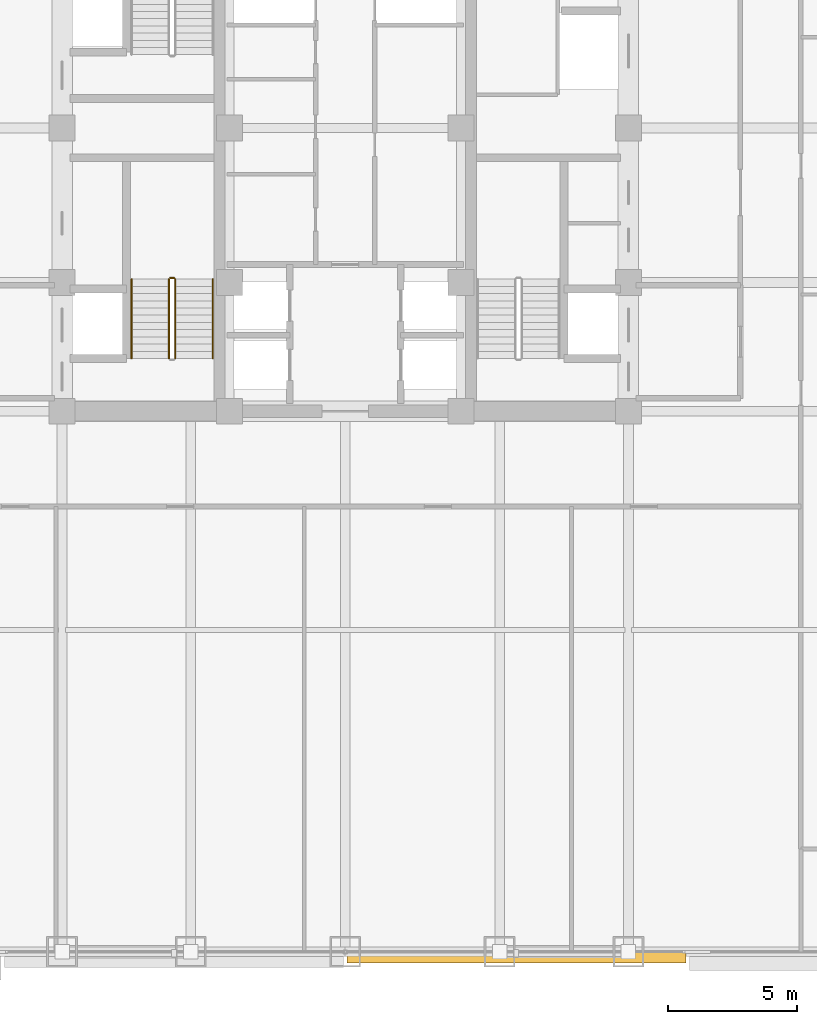
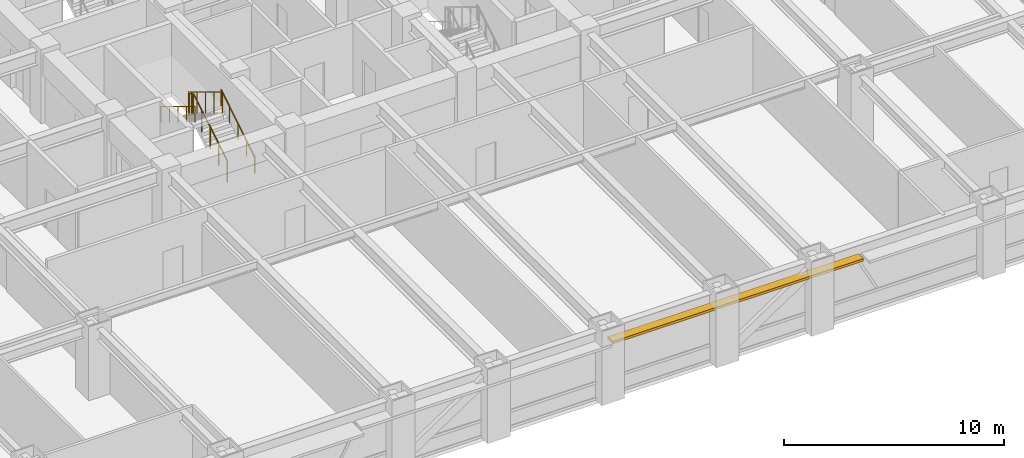
# One storey, part 29 of 32: 5 railings, 1 shading device.
"""IFC4 building model written with IfcOpenShell, lengths in metres."""

from ifc_helpers import new_model, si_unit, direction, frame, origin, origin_2d, place, context, subcontext, project, spatial, rectangle, circle, extrude, source, transform, mapped, material, layer, layer_set, type_object, element, save


model = new_model("IFC4")

# Units and contexts
model_context = context("Model", 3, precision=1e-05, world=origin(), true_north=direction((0.0, 1.0)))
body_context = subcontext(model_context, "Body", "Model", "MODEL_VIEW")
ifc_project = project(units=[si_unit("LENGTHUNIT", "METRE"), si_unit("AREAUNIT", "SQUARE_METRE"), si_unit("VOLUMEUNIT", "CUBIC_METRE"), si_unit("PLANEANGLEUNIT", "RADIAN"), si_unit("MASSUNIT", "GRAM", prefix="KILO")], contexts=[model_context])

# Site, building, storey
site_placement = place(None, origin())
site = spatial("IfcSite", under=ifc_project, at=site_placement, CompositionType="ELEMENT")
building_placement = place(site_placement, origin())
building = spatial("IfcBuilding", under=site, at=building_placement, Name="Khorayat Bourse Tower", CompositionType="ELEMENT")
storey_placement = place(building_placement, frame((0.0, 0.0, 128.300048828125)))
storey = spatial("IfcBuildingStorey", under=building, at=storey_placement, Name="L29", CompositionType="ELEMENT", Elevation=128.300048828125)

# Shading device
ifc_material_1 = material(Name="Precast concrete C45/55", Category="concrete")
ifc_layer = layer(ifc_material_1, 0.139892578125)
ifc_layer_set = layer_set([ifc_layer], Name="Precast concrete C45/55")
shading_device_type = type_object("IfcShadingDeviceType", Name="SHD-WAVE-TRAY-B", PredefinedType="USERDEFINED", material=ifc_layer_set)
shared_shape_1 = source(origin(), body_context, "Body", "SweptSolid", [
    extrude(rectangle(XDim=13.159912109375, YDim=0.45458984375, at=origin_2d()), origin(), (0.0, 0.0, 1.0), 0.139892578125),
])
shading_device_placement = place(storey_placement, frame((6.64990234375, -32.207275390625, 3.08984375), z_axis=(0.0, 0.0, 1.0), x_axis=(1.0, 0.0, 0.0)))
element("IfcShadingDevice", 1, at=shading_device_placement, inside=storey, type_object=shading_device_type, Name="L29 Sinusoidal Wave Sunshade Tray S-3", ObjectType="SUNSHADE", PredefinedType="USERDEFINED", context=body_context, shape_type="MappedRepresentation", body=[
    mapped(shared_shape_1, transform((0.0, 0.0, 0.0), scale=1.0)),
])

# Railings
ifc_material_2 = material(Name="Powder-coated steel balustrade", Category="steel")
railing_type_1 = type_object("IfcRailingType", Name="RLG-GUARD-1200", PredefinedType="GUARDRAIL", material=ifc_material_2)
shared_shape_2 = source(origin(), body_context, "Body", "SweptSolid", [
    extrude(circle(Radius=0.02392578125, at=origin_2d()), frame((0.0, 0.0, 1.17578125), z_axis=(-1.0, 0.0, 0.0), x_axis=(0.0, -1.0, 0.0)), (0.0, 0.0, 1.0), 0.150146484375),
    extrude(circle(Radius=0.02099609375, at=origin_2d()), origin(), (0.0, 0.0, 1.0), 1.15185546875),
    extrude(circle(Radius=0.02099609375, at=origin_2d()), frame((-0.150146484375, 0.0, 0.0)), (0.0, 0.0, 1.0), 1.15185546875),
])
railing_1_placement = place(storey_placement, frame((-6.64990234375, -5.820068359375, 2.050048828125)))
element("IfcRailing", 2, at=railing_1_placement, inside=storey, type_object=railing_type_1, Name="L29 ST-1 stair guard 2", PredefinedType="GUARDRAIL", context=body_context, shape_type="MappedRepresentation", body=[
    mapped(shared_shape_2, transform((0.0, 0.0, 0.0), scale=1.0)),
])
shared_shape_3 = source(origin(), body_context, "Body", "SweptSolid", [
    extrude(circle(Radius=0.02392578125, at=origin_2d()), frame((0.0, 0.0, 1.17578125), z_axis=(0.0, 0.853647949592, 0.520850437417), x_axis=(-1.0, 0.0, 0.0)), (0.0, 0.0, 1.0), 3.60791015625),
    extrude(circle(Radius=0.02099609375, at=origin_2d()), origin(), (0.0, 0.0, 1.0), 1.15185546875),
    extrude(circle(Radius=0.02099609375, at=origin_2d()), frame((0.0, 0.77001953125, 0.4697265625)), (0.0, 0.0, 1.0), 1.15185546875),
    extrude(circle(Radius=0.02099609375, at=origin_2d()), frame((0.0, 1.5400390625, 0.939453125)), (0.0, 0.0, 1.0), 1.15185546875),
    extrude(circle(Radius=0.02099609375, at=origin_2d()), frame((0.0, 2.309814453125, 1.409423828125)), (0.0, 0.0, 1.0), 1.15185546875),
    extrude(circle(Radius=0.02099609375, at=origin_2d()), frame((0.0, 3.079833984375, 1.879150390625)), (0.0, 0.0, 1.0), 1.15185546875),
])
railing_2_placement = place(storey_placement, frame((-6.60009765625, -8.949951171875, 0.1708984375)))
element("IfcRailing", 3, at=railing_2_placement, inside=storey, type_object=railing_type_1, Name="L29 ST-1 stair guard 1", PredefinedType="GUARDRAIL", context=body_context, shape_type="MappedRepresentation", body=[
    mapped(shared_shape_3, transform((0.0, 0.0, 0.0), scale=1.0)),
])
shared_shape_4 = source(origin(), body_context, "Body", "SweptSolid", [
    extrude(circle(Radius=0.02392578125, at=origin_2d()), frame((0.0, 0.0, 1.17578125), z_axis=(0.0, -0.853647949592, 0.520850437417), x_axis=(1.0, 0.0, 0.0)), (0.0, 0.0, 1.0), 3.60791015625),
    extrude(circle(Radius=0.02099609375, at=origin_2d()), origin(), (0.0, 0.0, 1.0), 1.15185546875),
    extrude(circle(Radius=0.02099609375, at=origin_2d()), frame((0.0, -0.77001953125, 0.4697265625)), (0.0, 0.0, 1.0), 1.15185546875),
    extrude(circle(Radius=0.02099609375, at=origin_2d()), frame((0.0, -1.5400390625, 0.939453125)), (0.0, 0.0, 1.0), 1.15185546875),
    extrude(circle(Radius=0.02099609375, at=origin_2d()), frame((0.0, -2.309814453125, 1.409423828125)), (0.0, 0.0, 1.0), 1.15185546875),
    extrude(circle(Radius=0.02099609375, at=origin_2d()), frame((0.0, -3.079833984375, 1.879150390625)), (0.0, 0.0, 1.0), 1.15185546875),
])
railing_3_placement = place(storey_placement, frame((-6.85009765625, -5.8701171875, 2.220703125)))
element("IfcRailing", 4, at=railing_3_placement, inside=storey, type_object=railing_type_1, Name="L29 ST-1 stair guard 3", PredefinedType="GUARDRAIL", context=body_context, shape_type="MappedRepresentation", body=[
    mapped(shared_shape_4, transform((0.0, 0.0, 0.0), scale=1.0)),
])
ifc_material_3 = material(Name="Brushed bronze stainless-steel handrail", Category="steel")
railing_type_2 = type_object("IfcRailingType", Name="RLG-HAND-900", PredefinedType="HANDRAIL", material=ifc_material_3)
shared_shape_5 = source(origin(), body_context, "Body", "SweptSolid", [
    extrude(circle(Radius=0.02392578125, at=origin_2d()), frame((0.0, 0.0, 0.8759765625), z_axis=(0.0, 0.853647949592, 0.520850437417), x_axis=(-1.0, 0.0, 0.0)), (0.0, 0.0, 1.0), 3.60791015625),
    extrude(circle(Radius=0.02099609375, at=origin_2d()), origin(), (0.0, 0.0, 1.0), 0.851806640625),
    extrude(circle(Radius=0.02099609375, at=origin_2d()), frame((0.0, 0.77001953125, 0.4697265625)), (0.0, 0.0, 1.0), 0.851806640625),
    extrude(circle(Radius=0.02099609375, at=origin_2d()), frame((0.0, 1.5400390625, 0.939453125)), (0.0, 0.0, 1.0), 0.851806640625),
    extrude(circle(Radius=0.02099609375, at=origin_2d()), frame((0.0, 2.309814453125, 1.409423828125)), (0.0, 0.0, 1.0), 0.851806640625),
    extrude(circle(Radius=0.02099609375, at=origin_2d()), frame((0.0, 3.079833984375, 1.879150390625)), (0.0, 0.0, 1.0), 0.851806640625),
])
railing_4_placement = place(storey_placement, frame((-5.14990234375, -8.949951171875, 0.1708984375)))
element("IfcRailing", 5, at=railing_4_placement, inside=storey, type_object=railing_type_2, Name="L29 ST-1 stair handrail 1", PredefinedType="HANDRAIL", context=body_context, shape_type="MappedRepresentation", body=[
    mapped(shared_shape_5, transform((0.0, 0.0, 0.0), scale=1.0)),
])
shared_shape_6 = source(origin(), body_context, "Body", "SweptSolid", [
    extrude(circle(Radius=0.02392578125, at=origin_2d()), frame((0.0, 0.0, 0.8759765625), z_axis=(0.0, -0.853647949592, 0.520850437417), x_axis=(1.0, 0.0, 0.0)), (0.0, 0.0, 1.0), 3.60791015625),
    extrude(circle(Radius=0.02099609375, at=origin_2d()), origin(), (0.0, 0.0, 1.0), 0.851806640625),
    extrude(circle(Radius=0.02099609375, at=origin_2d()), frame((0.0, -0.77001953125, 0.4697265625)), (0.0, 0.0, 1.0), 0.851806640625),
    extrude(circle(Radius=0.02099609375, at=origin_2d()), frame((0.0, -1.5400390625, 0.939453125)), (0.0, 0.0, 1.0), 0.851806640625),
    extrude(circle(Radius=0.02099609375, at=origin_2d()), frame((0.0, -2.309814453125, 1.409423828125)), (0.0, 0.0, 1.0), 0.851806640625),
    extrude(circle(Radius=0.02099609375, at=origin_2d()), frame((0.0, -3.079833984375, 1.879150390625)), (0.0, 0.0, 1.0), 0.851806640625),
])
railing_5_placement = place(storey_placement, frame((-8.300048828125, -5.8701171875, 2.220703125)))
element("IfcRailing", 6, at=railing_5_placement, inside=storey, type_object=railing_type_2, Name="L29 ST-1 stair handrail 2", PredefinedType="HANDRAIL", context=body_context, shape_type="MappedRepresentation", body=[
    mapped(shared_shape_6, transform((0.0, 0.0, 0.0), scale=1.0)),
])

save(model, "model.ifc")
